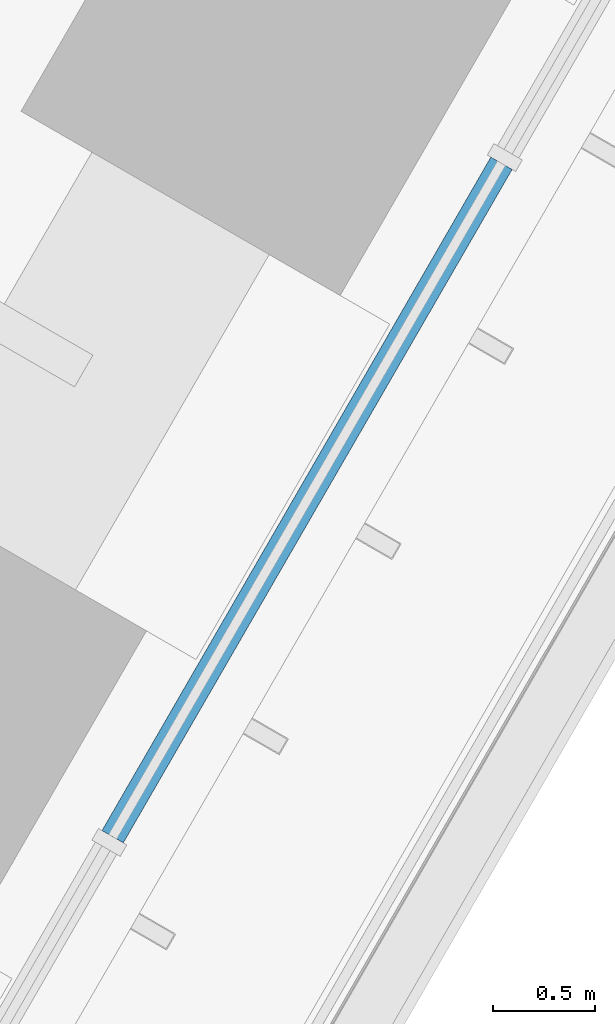
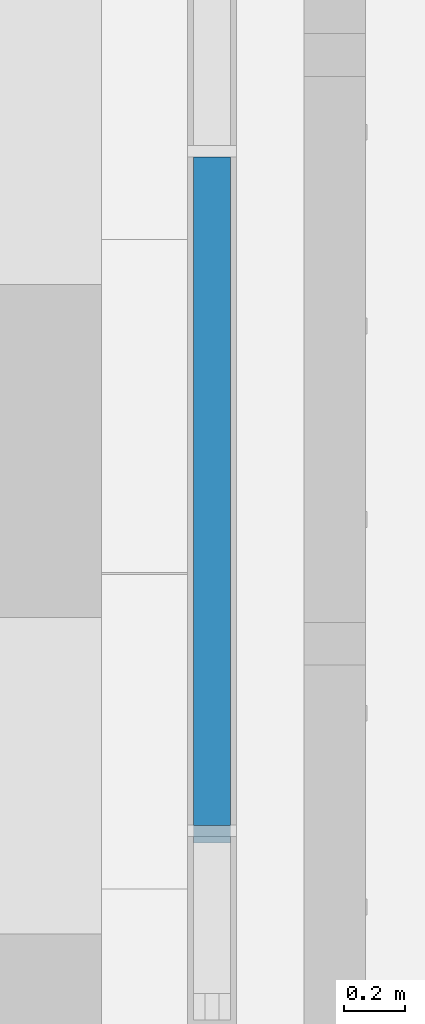
# One storey, part 101 of 228: 1 member, 1 element without a shape of its own.
"""IFC4 building model written with IfcOpenShell, lengths in metres."""

from ifc_helpers import new_model, si_unit, direction, frame, origin, origin_2d, place, context, subcontext, project, spatial, rectangle, extrude, material, material_profile, profile_set, type_object, element, aggregate, save


model = new_model("IFC4")

# Units and contexts
model_context = context("Model", 3, precision=1e-05, world=origin(), true_north=direction((0.0, 1.0)))
body_context = subcontext(model_context, "Body", "Model", "MODEL_VIEW")
ifc_project = project(units=[si_unit("LENGTHUNIT", "METRE"), si_unit("AREAUNIT", "SQUARE_METRE"), si_unit("VOLUMEUNIT", "CUBIC_METRE"), si_unit("PLANEANGLEUNIT", "RADIAN"), si_unit("MASSUNIT", "GRAM", prefix="KILO")], contexts=[model_context])

# Site, building, storey
site_placement = place(None, origin())
site = spatial("IfcSite", under=ifc_project, at=site_placement, CompositionType="ELEMENT")
building_placement = place(site_placement, origin())
building = spatial("IfcBuilding", under=site, at=building_placement, Name="Sandreach Pilgrim Tower", CompositionType="ELEMENT")
storey_placement = place(building_placement, frame((0.0, 0.0, 178.199951171875)))
storey = spatial("IfcBuildingStorey", under=building, at=storey_placement, Name="L44", CompositionType="ELEMENT", Elevation=178.199951171875)

# Curtain wall, member
ifc_material_1 = material(Name="Aluminium framed curtain wall", Category="aluminium")
curtain_wall_type = type_object("IfcCurtainWallType", Name="Upper hotel tower curtain wall", PredefinedType="NOTDEFINED", material=ifc_material_1)
curtain_wall_placement = place(storey_placement, origin())
curtain_wall = element("IfcCurtainWall", 1, at=curtain_wall_placement, inside=storey, type_object=curtain_wall_type, Name="CW-3 L44 SE", PredefinedType="NOTDEFINED")
ifc_material_2 = material(Name="Aluminium extrusion", Category="aluminium")
ifc_material_profile = material_profile(ifc_material_2, rectangle(XDim=0.1201171875, YDim=0.070068359375, at=origin_2d()), Name="CW-3T 120X70")
ifc_profile_set = profile_set([ifc_material_profile], Name="Aluminium extrusion")
member_type = type_object("IfcMemberType", Name="CW-3 transom", PredefinedType="USERDEFINED", material=ifc_profile_set)
member_placement = place(storey_placement, frame((19.275146484375, -8.934814453125, 4.804931640625), z_axis=(-0.500022797313, -0.86601224135, 0.0), x_axis=(0.86601224135, -0.500022797313, 0.0)))
member = element("IfcMember", 2, at=member_placement, type_object=member_type, Name="CW-3 head transom 5", ObjectType="TRANSOM", PredefinedType="USERDEFINED", context=body_context, shape_type="SweptSolid", body=[
    extrude(rectangle(XDim=0.1201171875, YDim=0.070068359375, at=origin_2d()), origin(), (0.0, 0.0, 1.0), 3.799560546875),
])
aggregate(curtain_wall, [member])

save(model, "model.ifc")
